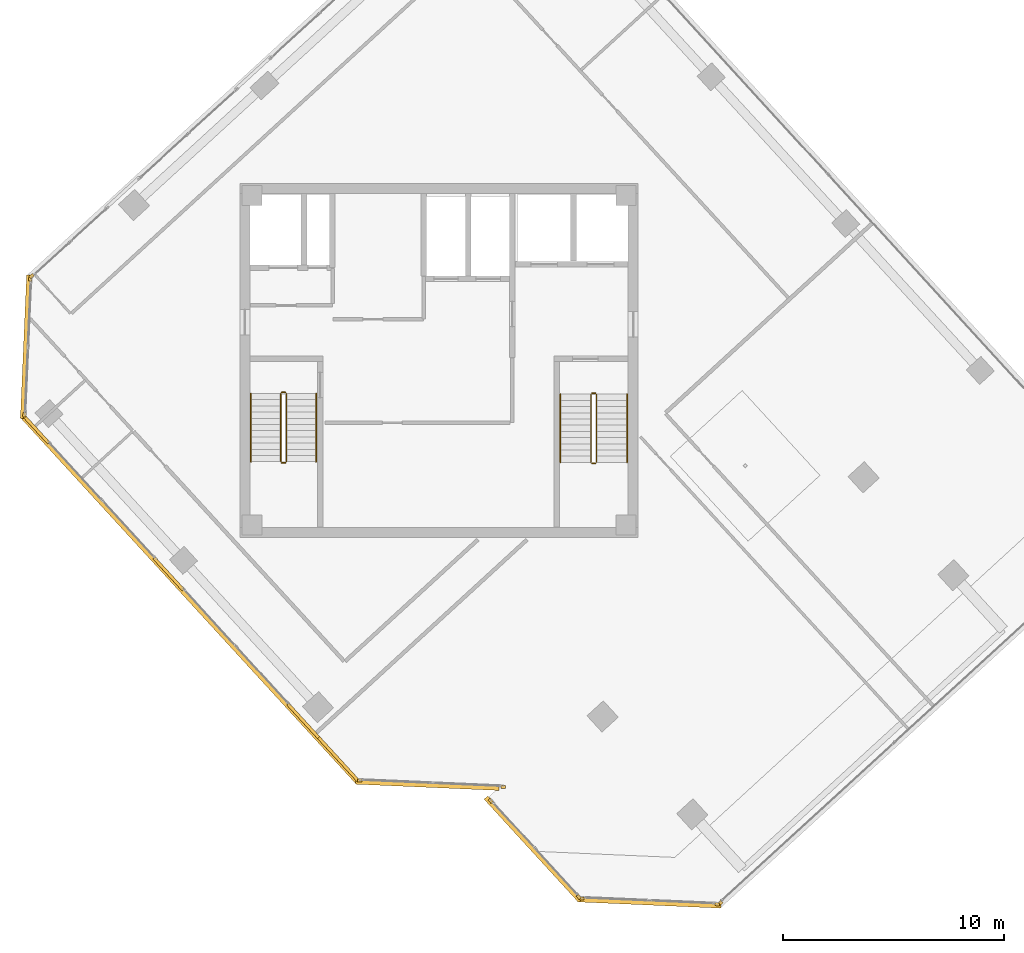
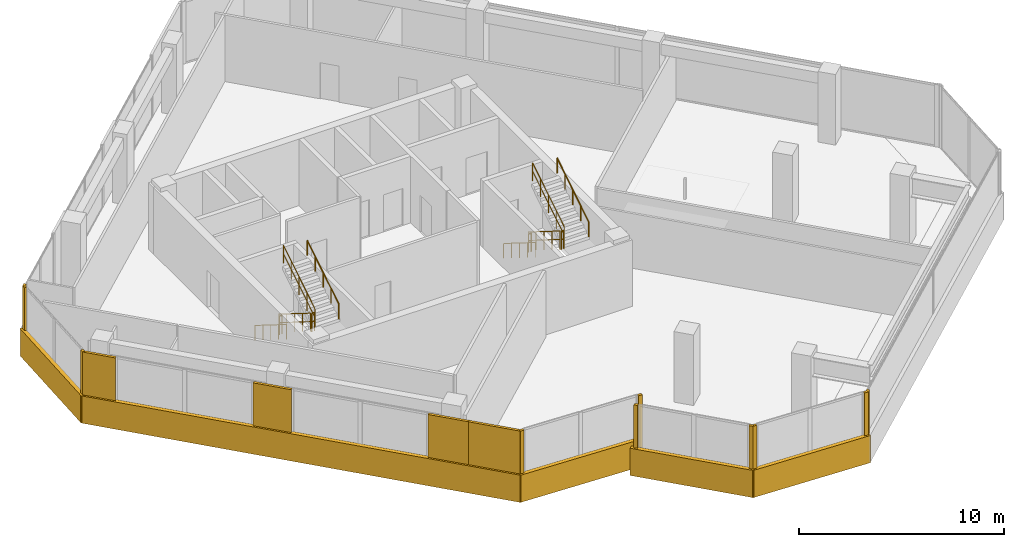
# One storey, part 16 of 18: 19 coverings, 12 railings.
"""IFC4 building model written with IfcOpenShell, lengths in metres."""

from ifc_helpers import new_model, si_unit, direction, frame, origin, origin_2d, place, context, subcontext, project, spatial, rectangle, circle, extrude, source, transform, mapped, material, layer, layer_set, type_object, element, save


model = new_model("IFC4")

# Units and contexts
model_context = context("Model", 3, precision=1e-05, world=origin(), true_north=direction((0.0, 1.0)))
body_context = subcontext(model_context, "Body", "Model", "MODEL_VIEW")
ifc_project = project(units=[si_unit("LENGTHUNIT", "METRE"), si_unit("AREAUNIT", "SQUARE_METRE"), si_unit("VOLUMEUNIT", "CUBIC_METRE"), si_unit("PLANEANGLEUNIT", "RADIAN"), si_unit("MASSUNIT", "GRAM", prefix="KILO")], contexts=[model_context])

# Site, building, storey
site_placement = place(None, origin())
site = spatial("IfcSite", under=ifc_project, at=site_placement, CompositionType="ELEMENT")
building_placement = place(site_placement, origin())
building = spatial("IfcBuilding", under=site, at=building_placement, Name="Torre Montelarca", CompositionType="ELEMENT")
storey_placement = place(building_placement, frame((0.0, 0.0, 258.39990234375)))
storey = spatial("IfcBuildingStorey", under=building, at=storey_placement, Name="L58", CompositionType="ELEMENT", Elevation=258.39990234375)

# Railings
ifc_material_1 = material(Name="Powder-coated steel ASTM A500 Grade C", Category="steel")
railing_type_1 = type_object("IfcRailingType", Name="RL-GUARD-1100", PredefinedType="BALUSTRADE", material=ifc_material_1)
railing_1_placement = place(storey_placement, frame((10.85009765625, 30.5, 0.175048828125)))
element("IfcRailing", 1, at=railing_1_placement, inside=storey, type_object=railing_type_1, Name="L58 ST1 stair guard 1", PredefinedType="BALUSTRADE", context=body_context, shape_type="SweptSolid", body=[
    extrude(circle(Radius=0.02392578125, at=origin_2d()), frame((0.0, 0.0, 1.076171875), z_axis=(0.0, -0.847998304005, 0.529998940003), x_axis=(1.0, 0.0, 0.0)), (0.0, 0.0, 1.0), 3.632080078125),
    extrude(circle(Radius=0.02099609375, at=origin_2d()), frame((0.0, 0.0, 0.572021484375), z_axis=(0.0, -0.847998304005, 0.529998940003), x_axis=(1.0, 0.0, 0.0)), (0.0, 0.0, 1.0), 3.632080078125),
    extrude(circle(Radius=0.02099609375, at=origin_2d()), origin(), (0.0, 0.0, 1.0), 1.052001953125),
    extrude(circle(Radius=0.02099609375, at=origin_2d()), frame((0.0, -0.77001953125, 0.481201171875)), (0.0, 0.0, 1.0), 1.052001953125),
    extrude(circle(Radius=0.02099609375, at=origin_2d()), frame((0.0, -1.5400390625, 0.96240234375)), (0.0, 0.0, 1.0), 1.052001953125),
    extrude(circle(Radius=0.02099609375, at=origin_2d()), frame((0.0, -2.31005859375, 1.44384765625)), (0.0, 0.0, 1.0), 1.052001953125),
    extrude(circle(Radius=0.02099609375, at=origin_2d()), frame((0.0, -3.080078125, 1.925048828125)), (0.0, 0.0, 1.0), 1.052001953125),
])
railing_2_placement = place(storey_placement, frame((10.89990234375, 27.3701171875, 2.10009765625)))
element("IfcRailing", 2, at=railing_2_placement, inside=storey, type_object=railing_type_1, Name="L58 ST1 stair guard 2", PredefinedType="BALUSTRADE", context=body_context, shape_type="SweptSolid", body=[
    extrude(circle(Radius=0.02392578125, at=origin_2d()), frame((0.0, 0.0, 1.076171875), z_axis=(1.0, 0.0, 0.0), x_axis=(0.0, 1.0, 0.0)), (0.0, 0.0, 1.0), 0.150146484375),
    extrude(circle(Radius=0.02099609375, at=origin_2d()), frame((0.0, 0.0, 0.572021484375), z_axis=(1.0, 0.0, 0.0), x_axis=(0.0, 1.0, 0.0)), (0.0, 0.0, 1.0), 0.150146484375),
    extrude(circle(Radius=0.02099609375, at=origin_2d()), origin(), (0.0, 0.0, 1.0), 1.052001953125),
    extrude(circle(Radius=0.02099609375, at=origin_2d()), frame((0.150146484375, 0.0, 0.0)), (0.0, 0.0, 1.0), 1.052001953125),
])
railing_3_placement = place(storey_placement, frame((11.10009765625, 27.419921875, 2.275146484375)))
element("IfcRailing", 3, at=railing_3_placement, inside=storey, type_object=railing_type_1, Name="L58 ST1 stair guard 3", PredefinedType="BALUSTRADE", context=body_context, shape_type="SweptSolid", body=[
    extrude(circle(Radius=0.02392578125, at=origin_2d()), frame((0.0, 0.0, 1.076171875), z_axis=(0.0, 0.847998304005, 0.529998940003), x_axis=(-1.0, 0.0, 0.0)), (0.0, 0.0, 1.0), 3.632080078125),
    extrude(circle(Radius=0.02099609375, at=origin_2d()), frame((0.0, 0.0, 0.572021484375), z_axis=(0.0, 0.847998304005, 0.529998940003), x_axis=(-1.0, 0.0, 0.0)), (0.0, 0.0, 1.0), 3.632080078125),
    extrude(circle(Radius=0.02099609375, at=origin_2d()), origin(), (0.0, 0.0, 1.0), 1.052001953125),
    extrude(circle(Radius=0.02099609375, at=origin_2d()), frame((0.0, 0.77001953125, 0.481201171875)), (0.0, 0.0, 1.0), 1.052001953125),
    extrude(circle(Radius=0.02099609375, at=origin_2d()), frame((0.0, 1.5400390625, 0.96240234375)), (0.0, 0.0, 1.0), 1.052001953125),
    extrude(circle(Radius=0.02099609375, at=origin_2d()), frame((0.0, 2.31005859375, 1.44384765625)), (0.0, 0.0, 1.0), 1.052001953125),
    extrude(circle(Radius=0.02099609375, at=origin_2d()), frame((0.0, 3.080078125, 1.925048828125)), (0.0, 0.0, 1.0), 1.052001953125),
])
railing_4_placement = place(storey_placement, frame((10.89990234375, 30.550048828125, 0.0)))
element("IfcRailing", 4, at=railing_4_placement, inside=storey, type_object=railing_type_1, Name="L58 ST1 stair guard 4", PredefinedType="BALUSTRADE", context=body_context, shape_type="SweptSolid", body=[
    extrude(circle(Radius=0.02392578125, at=origin_2d()), frame((0.0, 0.0, 1.076171875), z_axis=(1.0, 0.0, 0.0), x_axis=(0.0, 1.0, 0.0)), (0.0, 0.0, 1.0), 0.150146484375),
    extrude(circle(Radius=0.02099609375, at=origin_2d()), frame((0.0, 0.0, 0.572021484375), z_axis=(1.0, 0.0, 0.0), x_axis=(0.0, 1.0, 0.0)), (0.0, 0.0, 1.0), 0.150146484375),
    extrude(circle(Radius=0.02099609375, at=origin_2d()), origin(), (0.0, 0.0, 1.0), 1.052001953125),
    extrude(circle(Radius=0.02099609375, at=origin_2d()), frame((0.150146484375, 0.0, 0.0)), (0.0, 0.0, 1.0), 1.052001953125),
])
railing_5_placement = place(storey_placement, frame((24.8701171875, 30.469970703125, 0.175048828125)))
element("IfcRailing", 5, at=railing_5_placement, inside=storey, type_object=railing_type_1, Name="L58 ST2 stair guard 1", PredefinedType="BALUSTRADE", context=body_context, shape_type="SweptSolid", body=[
    extrude(circle(Radius=0.02392578125, at=origin_2d()), frame((0.0, 0.0, 1.076171875), z_axis=(0.0, -0.847998304005, 0.529998940003), x_axis=(1.0, 0.0, 0.0)), (0.0, 0.0, 1.0), 3.632080078125),
    extrude(circle(Radius=0.02099609375, at=origin_2d()), frame((0.0, 0.0, 0.572021484375), z_axis=(0.0, -0.847998304005, 0.529998940003), x_axis=(1.0, 0.0, 0.0)), (0.0, 0.0, 1.0), 3.632080078125),
    extrude(circle(Radius=0.02099609375, at=origin_2d()), origin(), (0.0, 0.0, 1.0), 1.052001953125),
    extrude(circle(Radius=0.02099609375, at=origin_2d()), frame((0.0, -0.77001953125, 0.481201171875)), (0.0, 0.0, 1.0), 1.052001953125),
    extrude(circle(Radius=0.02099609375, at=origin_2d()), frame((0.0, -1.5400390625, 0.96240234375)), (0.0, 0.0, 1.0), 1.052001953125),
    extrude(circle(Radius=0.02099609375, at=origin_2d()), frame((0.0, -2.31005859375, 1.44384765625)), (0.0, 0.0, 1.0), 1.052001953125),
    extrude(circle(Radius=0.02099609375, at=origin_2d()), frame((0.0, -3.080078125, 1.925048828125)), (0.0, 0.0, 1.0), 1.052001953125),
])
railing_6_placement = place(storey_placement, frame((24.919921875, 27.340087890625, 2.10009765625)))
element("IfcRailing", 6, at=railing_6_placement, inside=storey, type_object=railing_type_1, Name="L58 ST2 stair guard 2", PredefinedType="BALUSTRADE", context=body_context, shape_type="SweptSolid", body=[
    extrude(circle(Radius=0.02392578125, at=origin_2d()), frame((0.0, 0.0, 1.076171875), z_axis=(1.0, 0.0, 0.0), x_axis=(0.0, 1.0, 0.0)), (0.0, 0.0, 1.0), 0.150146484375),
    extrude(circle(Radius=0.02099609375, at=origin_2d()), frame((0.0, 0.0, 0.572021484375), z_axis=(1.0, 0.0, 0.0), x_axis=(0.0, 1.0, 0.0)), (0.0, 0.0, 1.0), 0.150146484375),
    extrude(circle(Radius=0.02099609375, at=origin_2d()), origin(), (0.0, 0.0, 1.0), 1.052001953125),
    extrude(circle(Radius=0.02099609375, at=origin_2d()), frame((0.150146484375, 0.0, 0.0)), (0.0, 0.0, 1.0), 1.052001953125),
])
railing_7_placement = place(storey_placement, frame((25.1201171875, 27.389892578125, 2.275146484375)))
element("IfcRailing", 7, at=railing_7_placement, inside=storey, type_object=railing_type_1, Name="L58 ST2 stair guard 3", PredefinedType="BALUSTRADE", context=body_context, shape_type="SweptSolid", body=[
    extrude(circle(Radius=0.02392578125, at=origin_2d()), frame((0.0, 0.0, 1.076171875), z_axis=(0.0, 0.847998304005, 0.529998940003), x_axis=(-1.0, 0.0, 0.0)), (0.0, 0.0, 1.0), 3.632080078125),
    extrude(circle(Radius=0.02099609375, at=origin_2d()), frame((0.0, 0.0, 0.572021484375), z_axis=(0.0, 0.847998304005, 0.529998940003), x_axis=(-1.0, 0.0, 0.0)), (0.0, 0.0, 1.0), 3.632080078125),
    extrude(circle(Radius=0.02099609375, at=origin_2d()), origin(), (0.0, 0.0, 1.0), 1.052001953125),
    extrude(circle(Radius=0.02099609375, at=origin_2d()), frame((0.0, 0.77001953125, 0.481201171875)), (0.0, 0.0, 1.0), 1.052001953125),
    extrude(circle(Radius=0.02099609375, at=origin_2d()), frame((0.0, 1.5400390625, 0.96240234375)), (0.0, 0.0, 1.0), 1.052001953125),
    extrude(circle(Radius=0.02099609375, at=origin_2d()), frame((0.0, 2.31005859375, 1.44384765625)), (0.0, 0.0, 1.0), 1.052001953125),
    extrude(circle(Radius=0.02099609375, at=origin_2d()), frame((0.0, 3.080078125, 1.925048828125)), (0.0, 0.0, 1.0), 1.052001953125),
])
railing_8_placement = place(storey_placement, frame((24.919921875, 30.52001953125, 0.0)))
element("IfcRailing", 8, at=railing_8_placement, inside=storey, type_object=railing_type_1, Name="L58 ST2 stair guard 4", PredefinedType="BALUSTRADE", context=body_context, shape_type="SweptSolid", body=[
    extrude(circle(Radius=0.02392578125, at=origin_2d()), frame((0.0, 0.0, 1.076171875), z_axis=(1.0, 0.0, 0.0), x_axis=(0.0, 1.0, 0.0)), (0.0, 0.0, 1.0), 0.150146484375),
    extrude(circle(Radius=0.02099609375, at=origin_2d()), frame((0.0, 0.0, 0.572021484375), z_axis=(1.0, 0.0, 0.0), x_axis=(0.0, 1.0, 0.0)), (0.0, 0.0, 1.0), 0.150146484375),
    extrude(circle(Radius=0.02099609375, at=origin_2d()), origin(), (0.0, 0.0, 1.0), 1.052001953125),
    extrude(circle(Radius=0.02099609375, at=origin_2d()), frame((0.150146484375, 0.0, 0.0)), (0.0, 0.0, 1.0), 1.052001953125),
])
ifc_material_2 = material(Name="Brushed stainless steel AISI 316", Category="steel")
railing_type_2 = type_object("IfcRailingType", Name="RL-HANDRAIL-900", PredefinedType="HANDRAIL", material=ifc_material_2)
railing_9_placement = place(storey_placement, frame((9.5, 30.5, 0.175048828125)))
element("IfcRailing", 9, at=railing_9_placement, inside=storey, type_object=railing_type_2, Name="L58 ST1 stair handrail 1", PredefinedType="HANDRAIL", context=body_context, shape_type="SweptSolid", body=[
    extrude(circle(Radius=0.02392578125, at=origin_2d()), frame((0.0, 0.0, 0.8759765625), z_axis=(0.0, -0.847998304005, 0.529998940003), x_axis=(1.0, 0.0, 0.0)), (0.0, 0.0, 1.0), 3.632080078125),
    extrude(circle(Radius=0.02099609375, at=origin_2d()), origin(), (0.0, 0.0, 1.0), 0.851806640625),
    extrude(circle(Radius=0.02099609375, at=origin_2d()), frame((0.0, -0.77001953125, 0.481201171875)), (0.0, 0.0, 1.0), 0.851806640625),
    extrude(circle(Radius=0.02099609375, at=origin_2d()), frame((0.0, -1.5400390625, 0.96240234375)), (0.0, 0.0, 1.0), 0.851806640625),
    extrude(circle(Radius=0.02099609375, at=origin_2d()), frame((0.0, -2.31005859375, 1.44384765625)), (0.0, 0.0, 1.0), 0.851806640625),
    extrude(circle(Radius=0.02099609375, at=origin_2d()), frame((0.0, -3.080078125, 1.925048828125)), (0.0, 0.0, 1.0), 0.851806640625),
])
railing_10_placement = place(storey_placement, frame((12.449951171875, 27.419921875, 2.275146484375)))
element("IfcRailing", 10, at=railing_10_placement, inside=storey, type_object=railing_type_2, Name="L58 ST1 stair handrail 2", PredefinedType="HANDRAIL", context=body_context, shape_type="SweptSolid", body=[
    extrude(circle(Radius=0.02392578125, at=origin_2d()), frame((0.0, 0.0, 0.8759765625), z_axis=(0.0, 0.847998304005, 0.529998940003), x_axis=(-1.0, 0.0, 0.0)), (0.0, 0.0, 1.0), 3.632080078125),
    extrude(circle(Radius=0.02099609375, at=origin_2d()), origin(), (0.0, 0.0, 1.0), 0.851806640625),
    extrude(circle(Radius=0.02099609375, at=origin_2d()), frame((0.0, 0.77001953125, 0.481201171875)), (0.0, 0.0, 1.0), 0.851806640625),
    extrude(circle(Radius=0.02099609375, at=origin_2d()), frame((0.0, 1.5400390625, 0.96240234375)), (0.0, 0.0, 1.0), 0.851806640625),
    extrude(circle(Radius=0.02099609375, at=origin_2d()), frame((0.0, 2.31005859375, 1.44384765625)), (0.0, 0.0, 1.0), 0.851806640625),
    extrude(circle(Radius=0.02099609375, at=origin_2d()), frame((0.0, 3.080078125, 1.925048828125)), (0.0, 0.0, 1.0), 0.851806640625),
])
railing_11_placement = place(storey_placement, frame((23.489990234375, 30.469970703125, 0.175048828125)))
element("IfcRailing", 11, at=railing_11_placement, inside=storey, type_object=railing_type_2, Name="L58 ST2 stair handrail 1", PredefinedType="HANDRAIL", context=body_context, shape_type="SweptSolid", body=[
    extrude(circle(Radius=0.02392578125, at=origin_2d()), frame((0.0, 0.0, 0.8759765625), z_axis=(0.0, -0.847998304005, 0.529998940003), x_axis=(1.0, 0.0, 0.0)), (0.0, 0.0, 1.0), 3.632080078125),
    extrude(circle(Radius=0.02099609375, at=origin_2d()), origin(), (0.0, 0.0, 1.0), 0.851806640625),
    extrude(circle(Radius=0.02099609375, at=origin_2d()), frame((0.0, -0.77001953125, 0.481201171875)), (0.0, 0.0, 1.0), 0.851806640625),
    extrude(circle(Radius=0.02099609375, at=origin_2d()), frame((0.0, -1.5400390625, 0.96240234375)), (0.0, 0.0, 1.0), 0.851806640625),
    extrude(circle(Radius=0.02099609375, at=origin_2d()), frame((0.0, -2.31005859375, 1.44384765625)), (0.0, 0.0, 1.0), 0.851806640625),
    extrude(circle(Radius=0.02099609375, at=origin_2d()), frame((0.0, -3.080078125, 1.925048828125)), (0.0, 0.0, 1.0), 0.851806640625),
])
railing_12_placement = place(storey_placement, frame((26.5, 27.389892578125, 2.275146484375)))
element("IfcRailing", 12, at=railing_12_placement, inside=storey, type_object=railing_type_2, Name="L58 ST2 stair handrail 2", PredefinedType="HANDRAIL", context=body_context, shape_type="SweptSolid", body=[
    extrude(circle(Radius=0.02392578125, at=origin_2d()), frame((0.0, 0.0, 0.8759765625), z_axis=(0.0, 0.847998304005, 0.529998940003), x_axis=(-1.0, 0.0, 0.0)), (0.0, 0.0, 1.0), 3.632080078125),
    extrude(circle(Radius=0.02099609375, at=origin_2d()), origin(), (0.0, 0.0, 1.0), 0.851806640625),
    extrude(circle(Radius=0.02099609375, at=origin_2d()), frame((0.0, 0.77001953125, 0.481201171875)), (0.0, 0.0, 1.0), 0.851806640625),
    extrude(circle(Radius=0.02099609375, at=origin_2d()), frame((0.0, 1.5400390625, 0.96240234375)), (0.0, 0.0, 1.0), 0.851806640625),
    extrude(circle(Radius=0.02099609375, at=origin_2d()), frame((0.0, 2.31005859375, 1.44384765625)), (0.0, 0.0, 1.0), 0.851806640625),
    extrude(circle(Radius=0.02099609375, at=origin_2d()), frame((0.0, 3.080078125, 1.925048828125)), (0.0, 0.0, 1.0), 0.851806640625),
])

# Coverings
ifc_material_3 = material(Name="Bush-hammered warm white precast concrete C45/55", Category="concrete")
ifc_layer = layer(ifc_material_3, 0.139892578125, Name="Bush-hammered warm white precast concrete C45/55", Category="concrete")
ifc_layer_set = layer_set([ifc_layer], Name="Bush-hammered warm white precast concrete C45/55")
covering_type = type_object("IfcCoveringType", Name="COV-TRAY-CLAD", PredefinedType="CLADDING", material=ifc_layer_set)
shared_shape_1 = source(origin(), body_context, "Body", "SweptSolid", [
    extrude(rectangle(XDim=6.48388671875, YDim=0.219970703125, at=origin_2d()), origin(), (0.0, 0.0, 1.0), 1.6201171875),
])
for number, where, z_axis, x_axis, name in (
    (13, (17.477294921875, 12.8125, -0.449951171875), (0.0, 0.0, 1.0), (0.99904814545, -0.043621131033, 0.0), "L58 Architectural White Spandrel Tray Band TRYBOT-02"),
    (14, (27.5078125, 7.490966796875, -0.449951171875), (0.0, 0.0, 1.0), (0.99904814545, -0.043621131033, 0.0), "L58 Architectural White Spandrel Tray Band TRYBOT-05"),
    (15, (-0.66748046875, 32.614013671875, -0.449951171875), (0.0, 0.0, 1.0), (-0.043621131033, -0.99904814545, 0.0), "L58 Architectural White Spandrel Tray Band TRYBOT-11"),
):
    element("IfcCovering", number, at=place(storey_placement, frame(where, z_axis=z_axis, x_axis=x_axis)), inside=storey, type_object=covering_type, Name=name, PredefinedType="CLADDING", context=body_context, shape_type="MappedRepresentation", body=[
        mapped(shared_shape_1, transform((0.0, 0.0, 0.0), scale=1.0)),
    ])
shared_shape_2 = source(origin(), body_context, "Body", "SweptSolid", [
    extrude(rectangle(XDim=0.199951171875, YDim=0.139892578125, at=origin_2d()), origin(), (0.0, 0.0, 1.0), 3.719970703125),
])
for number, where, z_axis, x_axis, name in (
    (16, (14.416748046875, 13.006103515625, 0.0), (0.0, 0.0, 1.0), (0.99904814545, -0.043621131033, 0.0), "L58 Architectural Column Pier Cladding E02-1"),
    (17, (20.910400390625, 12.72265625, 0.0), (0.0, 0.0, 1.0), (0.99904814545, -0.043621131033, 0.0), "L58 Architectural Column Pier Cladding E02-2"),
    (18, (20.3349609375, 12.090087890625, 0.0), (0.0, 0.0, 1.0), (0.675585060432, -0.737282053302, 0.0), "L58 Architectural Column Pier Cladding E04-1"),
    (19, (24.315673828125, 7.745849609375, 0.0), (0.0, 0.0, 1.0), (0.675585060432, -0.737282053302, 0.0), "L58 Architectural Column Pier Cladding E04-2"),
    (20, (24.447265625, 7.6845703125, 0.0), (0.0, 0.0, 1.0), (0.999047840893, -0.043628105704, 0.0), "L58 Architectural Column Pier Cladding E05-1"),
    (21, (30.573486328125, 7.4169921875, 0.0), (0.0, 0.0, 1.0), (0.999047840893, -0.043628105704, 0.0), "L58 Architectural Column Pier Cladding E05-2"),
    (22, (30.7099609375, 7.466796875, 0.0), (0.0, 0.0, 1.0), (0.73727733681, 0.675590207616, 0.0), "L58 Architectural Column Pier Cladding E06-1"),
    (23, (-0.41259765625, 35.80615234375, 0.0), (0.0, 0.0, 1.0), (-0.737276157682, -0.675591494406, 0.0), "L58 Architectural Column Pier Cladding E10-5"),
    (24, (-0.4736328125, 35.674560546875, 0.0), (0.0, 0.0, 1.0), (-0.043628105704, -0.999047840893, 0.0), "L58 Architectural Column Pier Cladding E11-1"),
    (25, (-0.7412109375, 29.548095703125, 0.0), (0.0, 0.0, 1.0), (-0.043628105704, -0.999047840893, 0.0), "L58 Architectural Column Pier Cladding E11-2"),
):
    element("IfcCovering", number, at=place(storey_placement, frame(where, z_axis=z_axis, x_axis=x_axis)), inside=storey, type_object=covering_type, Name=name, PredefinedType="CLADDING", context=body_context, shape_type="MappedRepresentation", body=[
        mapped(shared_shape_2, transform((0.0, 0.0, 0.0), scale=1.0)),
    ])
shared_shape_3 = source(origin(), body_context, "Body", "SweptSolid", [
    extrude(rectangle(XDim=2.06005859375, YDim=0.139892578125, at=origin_2d()), origin(), (0.0, 0.0, 1.0), 3.719970703125),
])
covering_1_placement = place(storey_placement, frame((11.86376953125, 15.7099609375, 0.0), z_axis=(0.0, 0.0, 1.0), x_axis=(0.675590207616, -0.73727733681, 0.0)))
element("IfcCovering", 26, at=covering_1_placement, inside=storey, type_object=covering_type, Name="L58 Architectural Column Pier Cladding E01-3", PredefinedType="CLADDING", context=body_context, shape_type="MappedRepresentation", body=[
    mapped(shared_shape_3, transform((0.0, 0.0, 0.0), scale=1.0)),
])
shared_shape_4 = source(origin(), body_context, "Body", "SweptSolid", [
    extrude(rectangle(XDim=2.754150390625, YDim=0.139892578125, at=origin_2d()), origin(), (0.0, 0.0, 1.0), 3.719970703125),
])
covering_2_placement = place(storey_placement, frame((13.42236328125, 14.009033203125, 0.0), z_axis=(0.0, 0.0, 1.0), x_axis=(0.675590207616, -0.73727733681, 0.0)))
element("IfcCovering", 27, at=covering_2_placement, inside=storey, type_object=covering_type, Name="L58 Architectural Column Pier Cladding E01-4", PredefinedType="CLADDING", context=body_context, shape_type="MappedRepresentation", body=[
    mapped(shared_shape_4, transform((0.0, 0.0, 0.0), scale=1.0)),
])
shared_shape_5 = source(origin(), body_context, "Body", "SweptSolid", [
    extrude(rectangle(XDim=22.52001953125, YDim=0.219970703125, at=origin_2d()), origin(), (0.0, 0.0, 1.0), 1.6201171875),
])
covering_3_placement = place(storey_placement, frame((6.75244140625, 21.19921875, -0.449951171875), z_axis=(0.0, 0.0, 1.0), x_axis=(0.675590207616, -0.73727733681, 0.0)))
element("IfcCovering", 28, at=covering_3_placement, inside=storey, type_object=covering_type, Name="L58 Architectural White Spandrel Tray Band TRYBOT-01", PredefinedType="CLADDING", context=body_context, shape_type="MappedRepresentation", body=[
    mapped(shared_shape_5, transform((0.0, 0.0, 0.0), scale=1.0)),
])
shared_shape_6 = source(origin(), body_context, "Body", "SweptSolid", [
    extrude(rectangle(XDim=1.9599609375, YDim=0.139892578125, at=origin_2d()), origin(), (0.0, 0.0, 1.0), 3.719970703125),
])
covering_4_placement = place(storey_placement, frame((5.783447265625, 22.345458984375, 0.0), z_axis=(0.0, 0.0, 1.0), x_axis=(0.675590207616, -0.73727733681, 0.0)))
element("IfcCovering", 29, at=covering_4_placement, inside=storey, type_object=covering_type, Name="L58 Architectural Column Pier Cladding E01-2", PredefinedType="CLADDING", context=body_context, shape_type="MappedRepresentation", body=[
    mapped(shared_shape_6, transform((0.0, 0.0, 0.0), scale=1.0)),
])
shared_shape_7 = source(origin(), body_context, "Body", "SweptSolid", [
    extrude(rectangle(XDim=6.320068359375, YDim=0.219970703125, at=origin_2d()), origin(), (0.0, 0.0, 1.0), 1.6201171875),
])
covering_5_placement = place(storey_placement, frame((22.25537109375, 9.905517578125, -0.449951171875), z_axis=(0.0, 0.0, 1.0), x_axis=(0.675595354766, -0.737272620283, 0.0)))
element("IfcCovering", 30, at=covering_5_placement, inside=storey, type_object=covering_type, Name="L58 Architectural White Spandrel Tray Band TRYBOT-04", PredefinedType="CLADDING", context=body_context, shape_type="MappedRepresentation", body=[
    mapped(shared_shape_7, transform((0.0, 0.0, 0.0), scale=1.0)),
])
shared_shape_8 = source(origin(), body_context, "Body", "SweptSolid", [
    extrude(rectangle(XDim=1.664306640625, YDim=0.139892578125, at=origin_2d()), origin(), (0.0, 0.0, 1.0), 3.719970703125),
])
covering_6_placement = place(storey_placement, frame((-0.197021484375, 28.8720703125, 0.0), z_axis=(0.0, 0.0, 1.0), x_axis=(0.675590207616, -0.73727733681, 0.0)))
element("IfcCovering", 31, at=covering_6_placement, inside=storey, type_object=covering_type, Name="L58 Architectural Column Pier Cladding E01-1", PredefinedType="CLADDING", context=body_context, shape_type="MappedRepresentation", body=[
    mapped(shared_shape_8, transform((0.0, 0.0, 0.0), scale=1.0)),
])

save(model, "model.ifc")
